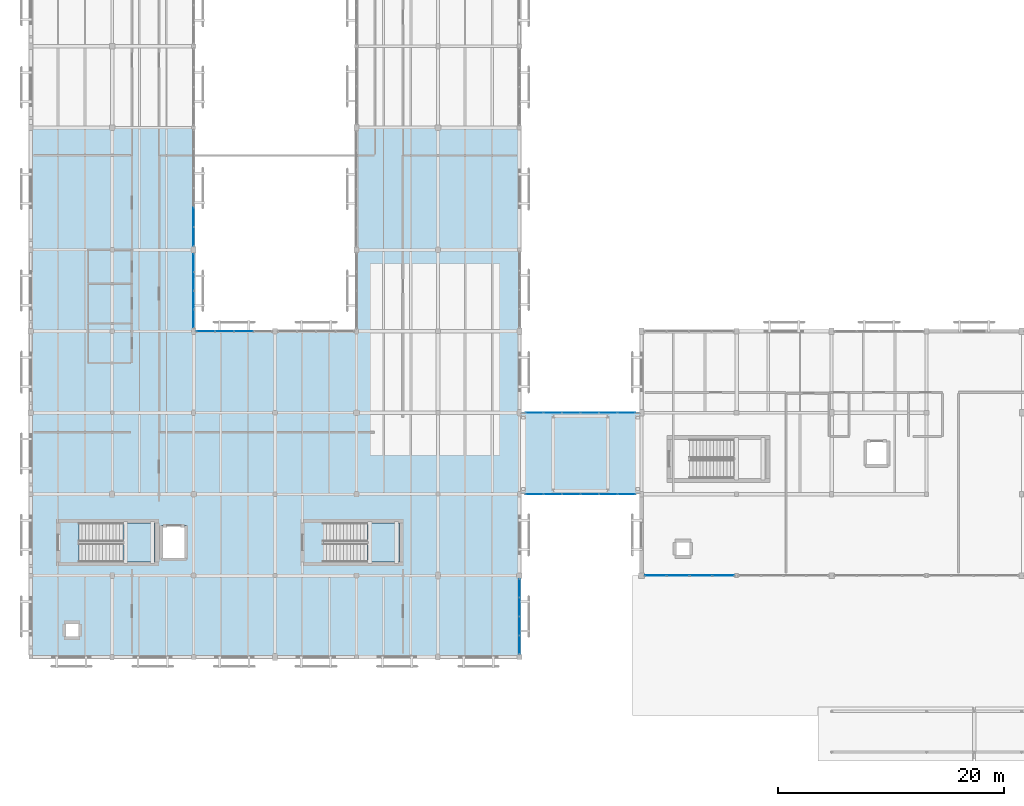
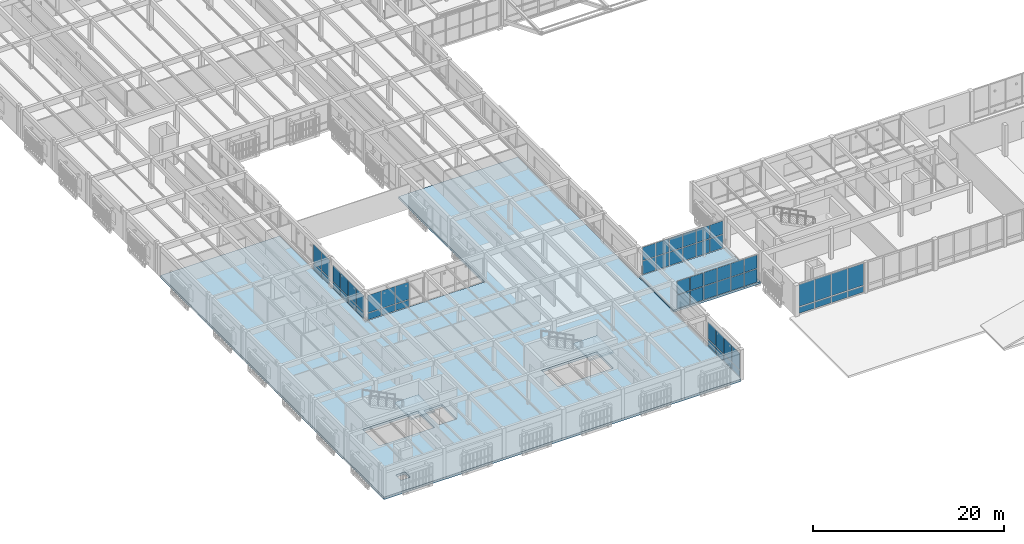
# One storey, part 163 of 217: 58 plates, 4 slabs, 9 elements without a shape of their own.
"""IFC4 building model written with IfcOpenShell, lengths in metres."""

import ifcopenshell
import ifcopenshell.guid

model = None  # the IFC model being written
_history = None  # IfcOwnerHistory: only IFC2X3 demands one
_inside = {}  # id of a spatial element -> (the spatial element, [elements in it])
_under = {}  # id of a project, library or spatial element -> (it, [spatial elements below it])
_declared = {}  # id of a project -> (the project, [libraries it declares])
_typed = {}  # id of a type object -> (the type object, [elements of that type])
_made_of = {}  # id of a material, layer set ... -> (it, [elements and type objects made of it])


def new_model(schema):
    """Start an empty IFC model of exactly this schema.

    Asked for "IFC4X3", IfcOpenShell would pick the latest addendum, in which some entities
    have other attributes; the version numbers below select the first issue.
    IFC2X3 requires an IfcOwnerHistory on every rooted entity: one is made here for all.
    """
    global model, _history
    if schema == "IFC4X3":
        model = ifcopenshell.file(schema_version=(4, 3, 0, 0))
    else:
        model = ifcopenshell.file(schema=schema)
    _inside.clear()
    _under.clear()
    _declared.clear()
    _typed.clear()
    _made_of.clear()
    _history = None
    if model.schema == "IFC2X3":
        org = make("IfcOrganization", Name="unknown")
        user = make(
            "IfcPersonAndOrganization",
            ThePerson=make("IfcPerson", FamilyName="unknown"),
            TheOrganization=org,
        )
        app = make(
            "IfcApplication",
            ApplicationDeveloper=org,
            Version="unknown",
            ApplicationFullName="unknown",
            ApplicationIdentifier="unknown",
        )
        _history = make(
            "IfcOwnerHistory",
            OwningUser=user,
            OwningApplication=app,
            ChangeAction="ADDED",
            CreationDate=0,
        )
    return model


def make(cls, **values):
    """One entity of the class cls with the attributes given. An attribute that is None is left unset."""
    return model.create_entity(
        cls, **{name: value for name, value in values.items() if value is not None}
    )


def rooted(cls, **values):
    """An entity with a GlobalId (a new one), such as an element, a storey or a relation."""
    return make(cls, GlobalId=ifcopenshell.guid.new(), OwnerHistory=_history, **values)


def si_unit(unit_type, name, prefix=None):
    """IfcSIUnit, for example si_unit("LENGTHUNIT", "METRE", prefix="MILLI")."""
    return make("IfcSIUnit", UnitType=unit_type, Prefix=prefix, Name=name)


def assignment(units):
    """IfcUnitAssignment: the units of a project."""
    return None if units is None else make("IfcUnitAssignment", Units=units)


def point(xyz):
    """IfcCartesianPoint."""
    return None if xyz is None else make("IfcCartesianPoint", Coordinates=xyz)


def direction(xyz):
    """IfcDirection."""
    return None if xyz is None else make("IfcDirection", DirectionRatios=xyz)


def frame(location, z_axis=None, x_axis=None):
    """IfcAxis2Placement3D, a coordinate frame: its origin and axes. An axis left out is left unset."""
    return make(
        "IfcAxis2Placement3D",
        Location=point(location),
        Axis=direction(z_axis),
        RefDirection=direction(x_axis),
    )


def frame_2d(location, x_axis=None):
    """IfcAxis2Placement2D, a coordinate frame in the plane: its origin and x axis."""
    return make(
        "IfcAxis2Placement2D", Location=point(location), RefDirection=direction(x_axis)
    )


def origin():
    """The frame at (0, 0, 0) with its axes left unset."""
    return frame((0.0, 0.0, 0.0))


def origin_2d():
    """The frame at (0, 0) in the plane with its x axis left unset."""
    return frame_2d((0.0, 0.0))


def place(relative_to, where):
    """IfcLocalPlacement: puts the frame where relative to a parent placement (None: the world)."""
    return make(
        "IfcLocalPlacement", PlacementRelTo=relative_to, RelativePlacement=where
    )


def context(
    kind, dimensions, precision=None, world=None, true_north=None, identifier=None
):
    """IfcGeometricRepresentationContext, for example the 3D "Model" context."""
    return make(
        "IfcGeometricRepresentationContext",
        ContextIdentifier=identifier,
        ContextType=kind,
        CoordinateSpaceDimension=dimensions,
        Precision=precision,
        WorldCoordinateSystem=world,
        TrueNorth=true_north,
    )


def subcontext(parent, identifier, kind, view, scale=None):
    """IfcGeometricRepresentationSubContext, for example "Body" below "Model"."""
    return make(
        "IfcGeometricRepresentationSubContext",
        ContextIdentifier=identifier,
        ContextType=kind,
        ParentContext=parent,
        TargetScale=scale,
        TargetView=view,
    )


def project(units=None, contexts=None):
    """IfcProject with its units and contexts."""
    return rooted(
        "IfcProject",
        Name="project",
        RepresentationContexts=contexts,
        UnitsInContext=assignment(units),
    )


def spatial(cls, under=None, at=None, **own):
    """A site, building, storey or space (cls), placed at a placement, below another one or the project."""
    s = rooted(cls, ObjectPlacement=at, **own)
    if under is not None:
        _under.setdefault(under.id(), (under, []))[1].append(s)
    return s


def polyline(points):
    """IfcPolyline through the points."""
    return make("IfcPolyline", Points=[point(p) for p in points])


def profile(cls, at=None, kind="AREA", **sizes):
    """A parametric profile (cls). Its sizes go by their IFC names, for example OverallWidth=200.0."""
    return make(cls, ProfileType=kind, Position=at, **sizes)


def rectangle(**sizes):
    """IfcRectangleProfileDef."""
    return profile("IfcRectangleProfileDef", **sizes)


def outline(outer, holes=None, kind="AREA"):
    """IfcArbitraryClosedProfileDef: a profile drawn as a closed curve; with holes, ...WithVoids."""
    if holes is None:
        return make("IfcArbitraryClosedProfileDef", ProfileType=kind, OuterCurve=outer)
    return make(
        "IfcArbitraryProfileDefWithVoids",
        ProfileType=kind,
        OuterCurve=outer,
        InnerCurves=holes,
    )


def extrude(swept, where, along, depth):
    """IfcExtrudedAreaSolid: the profile swept, set in the frame where, extruded along a direction by depth."""
    return make(
        "IfcExtrudedAreaSolid",
        SweptArea=swept,
        Position=where,
        ExtrudedDirection=direction(along),
        Depth=depth,
    )


def shape(context_of_items, identifier, shape_type, items):
    """IfcShapeRepresentation: the items that make up one representation, for example the "Body"."""
    return make(
        "IfcShapeRepresentation",
        ContextOfItems=context_of_items,
        RepresentationIdentifier=identifier,
        RepresentationType=shape_type,
        Items=items,
    )


def material(Name=None, Category=None):
    """IfcMaterial."""
    return make("IfcMaterial", Name=Name, Category=Category)


def layer(
    of_material, thickness, ventilated=None, Name=None, Category=None, Priority=None
):
    """IfcMaterialLayer: one layer of a wall or slab, of a material (None: an air gap)."""
    return make(
        "IfcMaterialLayer",
        Material=of_material,
        LayerThickness=thickness,
        IsVentilated=ventilated,
        Name=Name,
        Category=Category,
        Priority=Priority,
    )


def layer_set(layers, Name=None):
    """IfcMaterialLayerSet."""
    return make("IfcMaterialLayerSet", MaterialLayers=layers, LayerSetName=Name)


def made_of(thing, what):
    """Note that an element or type object is made of a material, layer set ...; save() writes the relation."""
    if what is not None:
        _made_of.setdefault(what.id(), (what, []))[1].append(thing)
    return thing


def type_object(cls, material=None, **own):
    """A type object (cls), such as IfcWallType, which elements share."""
    return made_of(rooted(cls, **own), material)


def element(
    cls,
    number,
    at=None,
    inside=None,
    cuts=None,
    type_object=None,
    material=None,
    context=None,
    identifier="Body",
    shape_type=None,
    held_by="IfcProductDefinitionShape",
    body=None,
    shapes=None,
    **own,
):
    """One element of the class cls, such as IfcWall. Its Tag is "e" and its number.

    at: its placement. inside: the storey or other place that contains it. cuts: it is an
    opening in that element (IfcRelVoidsElement). A single representation is given by context,
    identifier, shape_type and body (its items); several are given by shapes. held_by: the class
    of the entity that holds the representations. save() writes the other relations.
    """
    e = rooted(cls, Tag="e%d" % number, ObjectPlacement=at, **own)
    if body is not None:
        shapes = [shape(context, identifier, shape_type, body)]
    if shapes is not None:
        e.Representation = make(held_by, Representations=shapes)
    if inside is not None:
        _inside.setdefault(inside.id(), (inside, []))[1].append(e)
    if cuts is not None:
        rooted(
            "IfcRelVoidsElement", RelatingBuildingElement=cuts, RelatedOpeningElement=e
        )
    if type_object is not None:
        _typed.setdefault(type_object.id(), (type_object, []))[1].append(e)
    return made_of(e, material)


def aggregate(whole, parts):
    """IfcRelAggregates: a whole, such as a stair, and the parts it consists of."""
    return rooted("IfcRelAggregates", RelatingObject=whole, RelatedObjects=parts)


def save(model, path):
    """Write the relations noted so far, then the file.

    IfcRelAggregates (storeys below a building ...), IfcRelContainedInSpatialStructure (elements
    in a storey), IfcRelDefinesByType, IfcRelAssociatesMaterial and IfcRelDeclares: one each for
    every whole, place, type object, material and project.
    """
    for whole, parts in _under.values():
        aggregate(whole, parts)
    for where, things in _inside.values():
        rooted(
            "IfcRelContainedInSpatialStructure",
            RelatedElements=things,
            RelatingStructure=where,
        )
    for kind, things in _typed.values():
        rooted("IfcRelDefinesByType", RelatedObjects=things, RelatingType=kind)
    for what, things in _made_of.values():
        rooted("IfcRelAssociatesMaterial", RelatedObjects=things, RelatingMaterial=what)
    for by, libraries in _declared.values():
        rooted("IfcRelDeclares", RelatingContext=by, RelatedDefinitions=libraries)
    model.write(path)


model = new_model("IFC4")

# Units and contexts
model_context = context("Model", 3, precision=1e-05, world=origin(), true_north=direction((0.0, 1.0)))
body_context = subcontext(model_context, "Body", "Model", "MODEL_VIEW")
ifc_project = project(units=[si_unit("LENGTHUNIT", "METRE"), si_unit("AREAUNIT", "SQUARE_METRE"), si_unit("VOLUMEUNIT", "CUBIC_METRE"), si_unit("PLANEANGLEUNIT", "RADIAN"), si_unit("MASSUNIT", "GRAM", prefix="KILO")], contexts=[model_context])

# Site, building, storey
site_placement = place(None, origin())
site = spatial("IfcSite", under=ifc_project, at=site_placement, CompositionType="ELEMENT")
building_placement = place(site_placement, origin())
building = spatial("IfcBuilding", under=site, at=building_placement, Name="Mazaris Harbour Polytechnic", CompositionType="ELEMENT")
storey_placement = place(building_placement, frame((0.0, 0.0, 9.60009765625)))
storey = spatial("IfcBuildingStorey", under=building, at=storey_placement, Name="L02", CompositionType="ELEMENT", Elevation=9.60009765625)

# Slabs
ifc_material_1 = material(Name="Glulam GL28h and Concrete C30/37", Category="concrete")
ifc_layer_1 = layer(ifc_material_1, 0.264892578125, Name="Glulam GL28h and Concrete C30/37")
ifc_layer_set_1 = layer_set([ifc_layer_1], Name="Glulam GL28h and Concrete C30/37")
slab_type_1 = type_object("IfcSlabType", Name="CLT Composite Floor 265", PredefinedType="FLOOR", material=ifc_layer_set_1)
slab_1_placement = place(storey_placement, frame((0.0, 0.0, -0.26513671875)))
element("IfcSlab", 1, at=slab_1_placement, inside=storey, type_object=slab_type_1, Name="PB-W1 L02 Bridge Deck", PredefinedType="FLOOR", context=body_context, shape_type="SweptSolid", body=[
    extrude(outline(polyline([(53.85009765625, 21.60009765625), (53.85009765625, 28.800048828125), (43.35009765625, 28.800048828125), (43.35009765625, 21.60009765625), (53.85009765625, 21.60009765625)])), origin(), (0.0, 0.0, 1.0), 0.26513671875),
])
ifc_material_2 = material(Name="Glulam GL28h and Concrete C30/37", Category="concrete")
ifc_layer_2 = layer(ifc_material_2, 0.31005859375, Name="Glulam GL28h and Concrete C30/37")
ifc_layer_set_2 = layer_set([ifc_layer_2], Name="Glulam GL28h and Concrete C30/37")
slab_type_2 = type_object("IfcSlabType", Name="CLT Library Stack Floor 310", PredefinedType="FLOOR", material=ifc_layer_set_2)
slab_2_placement = place(storey_placement, frame((0.0, 0.0, -0.31005859375)))
element("IfcSlab", 2, at=slab_2_placement, inside=storey, type_object=slab_type_2, Name="V4 L02 Floor Slab", PredefinedType="FLOOR", context=body_context, shape_type="SweptSolid", body=[
    extrude(outline(polyline([(43.199951171875, 7.199951171875), (0.0, 7.199951171875), (0.0, 54.0), (14.39990234375, 54.0), (14.39990234375, 36.0), (28.800048828125, 36.0), (28.800048828125, 54.0), (43.199951171875, 54.0), (43.199951171875, 7.199951171875)]), holes=[polyline([(4.27490234375, 15.60009765625), (11.0, 15.60009765625), (11.0, 19.050048828125), (4.27490234375, 19.050048828125), (4.27490234375, 15.60009765625)]), polyline([(25.875, 19.050048828125), (25.875, 15.60009765625), (32.60009765625, 15.60009765625), (32.60009765625, 19.050048828125), (25.875, 19.050048828125)]), polyline([(13.75, 18.824951171875), (11.550048828125, 18.824951171875), (11.550048828125, 15.824951171875), (13.75, 15.824951171875), (13.75, 18.824951171875)]), polyline([(3.10009765625, 9.0), (4.219970703125, 9.0), (4.219970703125, 10.1201171875), (3.10009765625, 10.1201171875), (3.10009765625, 9.0)])]), origin(), (0.0, 0.0, 1.0), 0.31005859375),
])

# Curtain wall, plates
ifc_material_3 = material(Name="Anodised Bronze Aluminium and Low-E Glass", Category="aluminium")
ifc_layer_3 = layer(ifc_material_3, 0.179931640625, Name="Anodised Bronze Aluminium and Low-E Glass")
ifc_layer_set_3 = layer_set([ifc_layer_3], Name="Anodised Bronze Aluminium and Low-E Glass")
curtain_wall_type_1 = type_object("IfcCurtainWallType", Name="Harbour Colonnade Curtain Wall", PredefinedType="NOTDEFINED", material=ifc_layer_set_3)
curtain_wall_1_placement = place(storey_placement, origin())
curtain_wall_1 = element("IfcCurtainWall", 3, at=curtain_wall_1_placement, inside=storey, type_object=curtain_wall_type_1, Name="V3 L02 Curtain Wall 79", PredefinedType="NOTDEFINED")
ifc_material_4 = material(Name="Low-E Double Glazing", Category="glass")
ifc_layer_4 = layer(ifc_material_4, 0.028076171875, Name="Low-E Double Glazing")
ifc_layer_set_4 = layer_set([ifc_layer_4], Name="Low-E Double Glazing")
plate_type = type_object("IfcPlateType", Name="Low-E Vision Glass Panel 28", PredefinedType="CURTAIN_PANEL", material=ifc_layer_set_4)
plate_1_placement = place(storey_placement, frame((61.21337890625, 14.39990234375, 0.119873046875), z_axis=(0.0, 0.0, 1.0), x_axis=(-1.0, 0.0, 0.0)))
plate_1 = element("IfcPlate", 4, at=plate_1_placement, type_object=plate_type, Name="CW-01 panel 1.1", PredefinedType="CURTAIN_PANEL", context=body_context, shape_type="SweptSolid", body=[
    extrude(rectangle(XDim=1.84912109375, YDim=0.028076171875, at=origin_2d()), origin(), (0.0, 0.0, 1.0), 0.77001953125),
])
plate_2_placement = place(storey_placement, frame((61.21337890625, 14.39990234375, 1.009765625), z_axis=(0.0, 0.0, 1.0), x_axis=(-1.0, 0.0, 0.0)))
plate_2 = element("IfcPlate", 5, at=plate_2_placement, type_object=plate_type, Name="CW-01 panel 1.2", PredefinedType="CURTAIN_PANEL", context=body_context, shape_type="SweptSolid", body=[
    extrude(rectangle(XDim=1.84912109375, YDim=0.028076171875, at=origin_2d()), origin(), (0.0, 0.0, 1.0), 2.804931640625),
])
plate_3_placement = place(storey_placement, frame((59.239501953125, 14.39990234375, 0.119873046875), z_axis=(0.0, 0.0, 1.0), x_axis=(-1.0, 0.0, 0.0)))
plate_3 = element("IfcPlate", 6, at=plate_3_placement, type_object=plate_type, Name="CW-01 panel 2.1", PredefinedType="CURTAIN_PANEL", context=body_context, shape_type="SweptSolid", body=[
    extrude(rectangle(XDim=1.89892578125, YDim=0.028076171875, at=origin_2d()), origin(), (0.0, 0.0, 1.0), 0.77001953125),
])
plate_4_placement = place(storey_placement, frame((59.239501953125, 14.39990234375, 1.009765625), z_axis=(0.0, 0.0, 1.0), x_axis=(-1.0, 0.0, 0.0)))
plate_4 = element("IfcPlate", 7, at=plate_4_placement, type_object=plate_type, Name="CW-01 panel 2.2", PredefinedType="CURTAIN_PANEL", context=body_context, shape_type="SweptSolid", body=[
    extrude(rectangle(XDim=1.89892578125, YDim=0.028076171875, at=origin_2d()), origin(), (0.0, 0.0, 1.0), 2.804931640625),
])
plate_5_placement = place(storey_placement, frame((57.240478515625, 14.39990234375, 0.119873046875), z_axis=(0.0, 0.0, 1.0), x_axis=(-1.0, 0.0, 0.0)))
plate_5 = element("IfcPlate", 8, at=plate_5_placement, type_object=plate_type, Name="CW-01 panel 3.1", PredefinedType="CURTAIN_PANEL", context=body_context, shape_type="SweptSolid", body=[
    extrude(rectangle(XDim=1.89892578125, YDim=0.028076171875, at=origin_2d()), origin(), (0.0, 0.0, 1.0), 0.77001953125),
])
plate_6_placement = place(storey_placement, frame((57.240478515625, 14.39990234375, 1.009765625), z_axis=(0.0, 0.0, 1.0), x_axis=(-1.0, 0.0, 0.0)))
plate_6 = element("IfcPlate", 9, at=plate_6_placement, type_object=plate_type, Name="CW-01 panel 3.2", PredefinedType="CURTAIN_PANEL", context=body_context, shape_type="SweptSolid", body=[
    extrude(rectangle(XDim=1.89892578125, YDim=0.028076171875, at=origin_2d()), origin(), (0.0, 0.0, 1.0), 2.804931640625),
])
plate_7_placement = place(storey_placement, frame((55.2666015625, 14.39990234375, 0.119873046875), z_axis=(0.0, 0.0, 1.0), x_axis=(-1.0, 0.0, 0.0)))
plate_7 = element("IfcPlate", 10, at=plate_7_placement, type_object=plate_type, Name="CW-01 panel 4.1", PredefinedType="CURTAIN_PANEL", context=body_context, shape_type="SweptSolid", body=[
    extrude(rectangle(XDim=1.84912109375, YDim=0.028076171875, at=origin_2d()), origin(), (0.0, 0.0, 1.0), 0.77001953125),
])
plate_8_placement = place(storey_placement, frame((55.2666015625, 14.39990234375, 1.009765625), z_axis=(0.0, 0.0, 1.0), x_axis=(-1.0, 0.0, 0.0)))
plate_8 = element("IfcPlate", 11, at=plate_8_placement, type_object=plate_type, Name="CW-01 panel 4.2", PredefinedType="CURTAIN_PANEL", context=body_context, shape_type="SweptSolid", body=[
    extrude(rectangle(XDim=1.84912109375, YDim=0.028076171875, at=origin_2d()), origin(), (0.0, 0.0, 1.0), 2.804931640625),
])
aggregate(curtain_wall_1, [plate_1, plate_2, plate_3, plate_4, plate_5, plate_6, plate_7, plate_8])

ifc_material_5 = material(Name="Anodised Bronze Aluminium and Low-E Glass", Category="aluminium")
ifc_layer_5 = layer(ifc_material_5, 0.159912109375, Name="Anodised Bronze Aluminium and Low-E Glass")
ifc_layer_set_5 = layer_set([ifc_layer_5], Name="Anodised Bronze Aluminium and Low-E Glass")
curtain_wall_type_2 = type_object("IfcCurtainWallType", Name="Cloister Court Curtain Wall", PredefinedType="NOTDEFINED", material=ifc_layer_set_5)
curtain_wall_2_placement = place(storey_placement, origin())
curtain_wall_2 = element("IfcCurtainWall", 12, at=curtain_wall_2_placement, inside=storey, type_object=curtain_wall_type_2, Name="V4 L02 Curtain Wall 128", PredefinedType="NOTDEFINED")
plate_9_placement = place(storey_placement, frame((43.199951171875, 13.2958984375, 0.079833984375), z_axis=(0.0, 0.0, 1.0), x_axis=(0.0, -1.0, 0.0)))
plate_9 = element("IfcPlate", 13, at=plate_9_placement, type_object=plate_type, Name="CW-02 panel 1.1", PredefinedType="CURTAIN_PANEL", context=body_context, shape_type="SweptSolid", body=[
    extrude(rectangle(XDim=1.56396484375, YDim=0.028076171875, at=origin_2d()), origin(), (0.0, 0.0, 1.0), 0.830078125),
])
plate_10_placement = place(storey_placement, frame((43.199951171875, 13.2958984375, 0.989990234375), z_axis=(0.0, 0.0, 1.0), x_axis=(0.0, -1.0, 0.0)))
plate_10 = element("IfcPlate", 14, at=plate_10_placement, type_object=plate_type, Name="CW-02 panel 1.2", PredefinedType="CURTAIN_PANEL", context=body_context, shape_type="SweptSolid", body=[
    extrude(rectangle(XDim=1.56396484375, YDim=0.028076171875, at=origin_2d()), origin(), (0.0, 0.0, 1.0), 2.1298828125),
])
plate_11_placement = place(storey_placement, frame((43.199951171875, 11.632080078125, 0.079833984375), z_axis=(0.0, 0.0, 1.0), x_axis=(0.0, -1.0, 0.0)))
plate_11 = element("IfcPlate", 15, at=plate_11_placement, type_object=plate_type, Name="CW-02 panel 2.1", PredefinedType="CURTAIN_PANEL", context=body_context, shape_type="SweptSolid", body=[
    extrude(rectangle(XDim=1.60400390625, YDim=0.028076171875, at=origin_2d()), origin(), (0.0, 0.0, 1.0), 0.830078125),
])
plate_12_placement = place(storey_placement, frame((43.199951171875, 11.632080078125, 0.989990234375), z_axis=(0.0, 0.0, 1.0), x_axis=(0.0, -1.0, 0.0)))
plate_12 = element("IfcPlate", 16, at=plate_12_placement, type_object=plate_type, Name="CW-02 panel 2.2", PredefinedType="CURTAIN_PANEL", context=body_context, shape_type="SweptSolid", body=[
    extrude(rectangle(XDim=1.60400390625, YDim=0.028076171875, at=origin_2d()), origin(), (0.0, 0.0, 1.0), 2.1298828125),
])
plate_13_placement = place(storey_placement, frame((43.199951171875, 9.947998046875, 0.079833984375), z_axis=(0.0, 0.0, 1.0), x_axis=(0.0, -1.0, 0.0)))
plate_13 = element("IfcPlate", 17, at=plate_13_placement, type_object=plate_type, Name="CW-02 panel 3.1", PredefinedType="CURTAIN_PANEL", context=body_context, shape_type="SweptSolid", body=[
    extrude(rectangle(XDim=1.60400390625, YDim=0.028076171875, at=origin_2d()), origin(), (0.0, 0.0, 1.0), 0.830078125),
])
plate_14_placement = place(storey_placement, frame((43.199951171875, 9.947998046875, 0.989990234375), z_axis=(0.0, 0.0, 1.0), x_axis=(0.0, -1.0, 0.0)))
plate_14 = element("IfcPlate", 18, at=plate_14_placement, type_object=plate_type, Name="CW-02 panel 3.2", PredefinedType="CURTAIN_PANEL", context=body_context, shape_type="SweptSolid", body=[
    extrude(rectangle(XDim=1.60400390625, YDim=0.028076171875, at=origin_2d()), origin(), (0.0, 0.0, 1.0), 2.1298828125),
])
plate_15_placement = place(storey_placement, frame((43.199951171875, 8.283935546875, 0.079833984375), z_axis=(0.0, 0.0, 1.0), x_axis=(0.0, -1.0, 0.0)))
plate_15 = element("IfcPlate", 19, at=plate_15_placement, type_object=plate_type, Name="CW-02 panel 4.1", PredefinedType="CURTAIN_PANEL", context=body_context, shape_type="SweptSolid", body=[
    extrude(rectangle(XDim=1.56396484375, YDim=0.028076171875, at=origin_2d()), origin(), (0.0, 0.0, 1.0), 0.830078125),
])
plate_16_placement = place(storey_placement, frame((43.199951171875, 8.283935546875, 0.989990234375), z_axis=(0.0, 0.0, 1.0), x_axis=(0.0, -1.0, 0.0)))
plate_16 = element("IfcPlate", 20, at=plate_16_placement, type_object=plate_type, Name="CW-02 panel 4.2", PredefinedType="CURTAIN_PANEL", context=body_context, shape_type="SweptSolid", body=[
    extrude(rectangle(XDim=1.56396484375, YDim=0.028076171875, at=origin_2d()), origin(), (0.0, 0.0, 1.0), 2.1298828125),
])
aggregate(curtain_wall_2, [plate_9, plate_10, plate_11, plate_12, plate_13, plate_14, plate_15, plate_16])

curtain_wall_3_placement = place(storey_placement, origin())
curtain_wall_3 = element("IfcCurtainWall", 21, at=curtain_wall_3_placement, inside=storey, type_object=curtain_wall_type_2, Name="V4 L02 Curtain Wall 133", PredefinedType="NOTDEFINED")
plate_17_placement = place(storey_placement, frame((15.460205078125, 36.0, 0.079833984375), z_axis=(0.0, 0.0, 1.0), x_axis=(1.0, 0.0, 0.0)))
plate_17 = element("IfcPlate", 22, at=plate_17_placement, type_object=plate_type, Name="CW-02 panel 1.1", PredefinedType="CURTAIN_PANEL", context=body_context, shape_type="SweptSolid", body=[
    extrude(rectangle(XDim=1.576416015625, YDim=0.028076171875, at=origin_2d()), origin(), (0.0, 0.0, 1.0), 0.830078125),
])
plate_18_placement = place(storey_placement, frame((15.460205078125, 36.0, 0.989990234375), z_axis=(0.0, 0.0, 1.0), x_axis=(1.0, 0.0, 0.0)))
plate_18 = element("IfcPlate", 23, at=plate_18_placement, type_object=plate_type, Name="CW-02 panel 1.2", PredefinedType="CURTAIN_PANEL", context=body_context, shape_type="SweptSolid", body=[
    extrude(rectangle(XDim=1.576416015625, YDim=0.028076171875, at=origin_2d()), origin(), (0.0, 0.0, 1.0), 2.22998046875),
])
plate_19_placement = place(storey_placement, frame((17.13671875, 36.0, 0.079833984375), z_axis=(0.0, 0.0, 1.0), x_axis=(1.0, 0.0, 0.0)))
plate_19 = element("IfcPlate", 24, at=plate_19_placement, type_object=plate_type, Name="CW-02 panel 2.1", PredefinedType="CURTAIN_PANEL", context=body_context, shape_type="SweptSolid", body=[
    extrude(rectangle(XDim=1.616455078125, YDim=0.028076171875, at=origin_2d()), origin(), (0.0, 0.0, 1.0), 0.830078125),
])
plate_20_placement = place(storey_placement, frame((17.13671875, 36.0, 0.989990234375), z_axis=(0.0, 0.0, 1.0), x_axis=(1.0, 0.0, 0.0)))
plate_20 = element("IfcPlate", 25, at=plate_20_placement, type_object=plate_type, Name="CW-02 panel 2.2", PredefinedType="CURTAIN_PANEL", context=body_context, shape_type="SweptSolid", body=[
    extrude(rectangle(XDim=1.616455078125, YDim=0.028076171875, at=origin_2d()), origin(), (0.0, 0.0, 1.0), 2.22998046875),
])
plate_21_placement = place(storey_placement, frame((18.833251953125, 36.0, 0.079833984375), z_axis=(0.0, 0.0, 1.0), x_axis=(1.0, 0.0, 0.0)))
plate_21 = element("IfcPlate", 26, at=plate_21_placement, type_object=plate_type, Name="CW-02 panel 3.1", PredefinedType="CURTAIN_PANEL", context=body_context, shape_type="SweptSolid", body=[
    extrude(rectangle(XDim=1.616455078125, YDim=0.028076171875, at=origin_2d()), origin(), (0.0, 0.0, 1.0), 0.830078125),
])
plate_22_placement = place(storey_placement, frame((18.833251953125, 36.0, 0.989990234375), z_axis=(0.0, 0.0, 1.0), x_axis=(1.0, 0.0, 0.0)))
plate_22 = element("IfcPlate", 27, at=plate_22_placement, type_object=plate_type, Name="CW-02 panel 3.2", PredefinedType="CURTAIN_PANEL", context=body_context, shape_type="SweptSolid", body=[
    extrude(rectangle(XDim=1.616455078125, YDim=0.028076171875, at=origin_2d()), origin(), (0.0, 0.0, 1.0), 2.22998046875),
])
aggregate(curtain_wall_3, [plate_17, plate_18, plate_19, plate_20, plate_21, plate_22])

curtain_wall_4_placement = place(storey_placement, origin())
curtain_wall_4 = element("IfcCurtainWall", 28, at=curtain_wall_4_placement, inside=storey, type_object=curtain_wall_type_2, Name="V4 L02 Curtain Wall 137", PredefinedType="NOTDEFINED")
plate_23_placement = place(storey_placement, frame((14.39990234375, 37.11279296875, 0.079833984375), z_axis=(0.0, 0.0, 1.0), x_axis=(0.0, 1.0, 0.0)))
plate_23 = element("IfcPlate", 29, at=plate_23_placement, type_object=plate_type, Name="CW-02 panel 1.1", PredefinedType="CURTAIN_PANEL", context=body_context, shape_type="SweptSolid", body=[
    extrude(rectangle(XDim=1.54150390625, YDim=0.028076171875, at=origin_2d()), origin(), (0.0, 0.0, 1.0), 0.830078125),
])
plate_24_placement = place(storey_placement, frame((14.39990234375, 37.11279296875, 0.98974609375), z_axis=(0.0, 0.0, 1.0), x_axis=(0.0, 1.0, 0.0)))
plate_24 = element("IfcPlate", 30, at=plate_24_placement, type_object=plate_type, Name="CW-02 panel 1.2", PredefinedType="CURTAIN_PANEL", context=body_context, shape_type="SweptSolid", body=[
    extrude(rectangle(XDim=1.54150390625, YDim=0.028076171875, at=origin_2d()), origin(), (0.0, 0.0, 1.0), 2.070068359375),
])
plate_25_placement = place(storey_placement, frame((14.39990234375, 38.754150390625, 0.079833984375), z_axis=(0.0, 0.0, 1.0), x_axis=(0.0, 1.0, 0.0)))
plate_25 = element("IfcPlate", 31, at=plate_25_placement, type_object=plate_type, Name="CW-02 panel 2.1", PredefinedType="CURTAIN_PANEL", context=body_context, shape_type="SweptSolid", body=[
    extrude(rectangle(XDim=1.58154296875, YDim=0.028076171875, at=origin_2d()), origin(), (0.0, 0.0, 1.0), 0.830078125),
])
plate_26_placement = place(storey_placement, frame((14.39990234375, 38.754150390625, 0.98974609375), z_axis=(0.0, 0.0, 1.0), x_axis=(0.0, 1.0, 0.0)))
plate_26 = element("IfcPlate", 32, at=plate_26_placement, type_object=plate_type, Name="CW-02 panel 2.2", PredefinedType="CURTAIN_PANEL", context=body_context, shape_type="SweptSolid", body=[
    extrude(rectangle(XDim=1.58154296875, YDim=0.028076171875, at=origin_2d()), origin(), (0.0, 0.0, 1.0), 2.070068359375),
])
plate_27_placement = place(storey_placement, frame((14.39990234375, 40.415771484375, 0.079833984375), z_axis=(0.0, 0.0, 1.0), x_axis=(0.0, 1.0, 0.0)))
plate_27 = element("IfcPlate", 33, at=plate_27_placement, type_object=plate_type, Name="CW-02 panel 3.1", PredefinedType="CURTAIN_PANEL", context=body_context, shape_type="SweptSolid", body=[
    extrude(rectangle(XDim=1.58154296875, YDim=0.028076171875, at=origin_2d()), origin(), (0.0, 0.0, 1.0), 0.830078125),
])
plate_28_placement = place(storey_placement, frame((14.39990234375, 40.415771484375, 0.98974609375), z_axis=(0.0, 0.0, 1.0), x_axis=(0.0, 1.0, 0.0)))
plate_28 = element("IfcPlate", 34, at=plate_28_placement, type_object=plate_type, Name="CW-02 panel 3.2", PredefinedType="CURTAIN_PANEL", context=body_context, shape_type="SweptSolid", body=[
    extrude(rectangle(XDim=1.58154296875, YDim=0.028076171875, at=origin_2d()), origin(), (0.0, 0.0, 1.0), 2.070068359375),
])
plate_29_placement = place(storey_placement, frame((14.39990234375, 42.05712890625, 0.079833984375), z_axis=(0.0, 0.0, 1.0), x_axis=(0.0, 1.0, 0.0)))
plate_29 = element("IfcPlate", 35, at=plate_29_placement, type_object=plate_type, Name="CW-02 panel 4.1", PredefinedType="CURTAIN_PANEL", context=body_context, shape_type="SweptSolid", body=[
    extrude(rectangle(XDim=1.54150390625, YDim=0.028076171875, at=origin_2d()), origin(), (0.0, 0.0, 1.0), 0.830078125),
])
plate_30_placement = place(storey_placement, frame((14.39990234375, 42.05712890625, 0.98974609375), z_axis=(0.0, 0.0, 1.0), x_axis=(0.0, 1.0, 0.0)))
plate_30 = element("IfcPlate", 36, at=plate_30_placement, type_object=plate_type, Name="CW-02 panel 4.2", PredefinedType="CURTAIN_PANEL", context=body_context, shape_type="SweptSolid", body=[
    extrude(rectangle(XDim=1.54150390625, YDim=0.028076171875, at=origin_2d()), origin(), (0.0, 0.0, 1.0), 2.070068359375),
])
aggregate(curtain_wall_4, [plate_23, plate_24, plate_25, plate_26, plate_27, plate_28, plate_29, plate_30])

curtain_wall_5_placement = place(storey_placement, origin())
curtain_wall_5 = element("IfcCurtainWall", 37, at=curtain_wall_5_placement, inside=storey, type_object=curtain_wall_type_2, Name="V4 L02 Curtain Wall 138", PredefinedType="NOTDEFINED")
plate_31_placement = place(storey_placement, frame((14.39990234375, 44.374267578125, 0.079833984375), z_axis=(0.0, 0.0, 1.0), x_axis=(0.0, 1.0, 0.0)))
plate_31 = element("IfcPlate", 38, at=plate_31_placement, type_object=plate_type, Name="CW-02 panel 1.1", PredefinedType="CURTAIN_PANEL", context=body_context, shape_type="SweptSolid", body=[
    extrude(rectangle(XDim=1.604248046875, YDim=0.028076171875, at=origin_2d()), origin(), (0.0, 0.0, 1.0), 0.830078125),
])
plate_32_placement = place(storey_placement, frame((14.39990234375, 44.374267578125, 0.989990234375), z_axis=(0.0, 0.0, 1.0), x_axis=(0.0, 1.0, 0.0)))
plate_32 = element("IfcPlate", 39, at=plate_32_placement, type_object=plate_type, Name="CW-02 panel 1.2", PredefinedType="CURTAIN_PANEL", context=body_context, shape_type="SweptSolid", body=[
    extrude(rectangle(XDim=1.604248046875, YDim=0.028076171875, at=origin_2d()), origin(), (0.0, 0.0, 1.0), 2.2900390625),
])
plate_33_placement = place(storey_placement, frame((14.39990234375, 46.07861328125, 0.079833984375), z_axis=(0.0, 0.0, 1.0), x_axis=(0.0, 1.0, 0.0)))
plate_33 = element("IfcPlate", 40, at=plate_33_placement, type_object=plate_type, Name="CW-02 panel 2.1", PredefinedType="CURTAIN_PANEL", context=body_context, shape_type="SweptSolid", body=[
    extrude(rectangle(XDim=1.644287109375, YDim=0.028076171875, at=origin_2d()), origin(), (0.0, 0.0, 1.0), 0.830078125),
])
plate_34_placement = place(storey_placement, frame((14.39990234375, 46.07861328125, 0.989990234375), z_axis=(0.0, 0.0, 1.0), x_axis=(0.0, 1.0, 0.0)))
plate_34 = element("IfcPlate", 41, at=plate_34_placement, type_object=plate_type, Name="CW-02 panel 2.2", PredefinedType="CURTAIN_PANEL", context=body_context, shape_type="SweptSolid", body=[
    extrude(rectangle(XDim=1.644287109375, YDim=0.028076171875, at=origin_2d()), origin(), (0.0, 0.0, 1.0), 2.2900390625),
])
aggregate(curtain_wall_5, [plate_31, plate_32, plate_33, plate_34])

ifc_material_6 = material(Name="Anodised Bronze Aluminium and Low-E Glass", Category="aluminium")
ifc_layer_6 = layer(ifc_material_6, 0.139892578125, Name="Anodised Bronze Aluminium and Low-E Glass")
ifc_layer_set_6 = layer_set([ifc_layer_6], Name="Anodised Bronze Aluminium and Low-E Glass")
curtain_wall_type_3 = type_object("IfcCurtainWallType", Name="Seismic Link Bridge Glazing", PredefinedType="NOTDEFINED", material=ifc_layer_set_6)
curtain_wall_6_placement = place(storey_placement, origin())
curtain_wall_6 = element("IfcCurtainWall", 42, at=curtain_wall_6_placement, inside=storey, type_object=curtain_wall_type_3, Name="PB-W1 L02 Bridge Glazing", PredefinedType="NOTDEFINED")
plate_35_placement = place(storey_placement, frame((44.52001953125, 21.60009765625, 0.080078125), z_axis=(0.0, 0.0, 1.0), x_axis=(1.0, 0.0, 0.0)))
plate_35 = element("IfcPlate", 43, at=plate_35_placement, type_object=plate_type, Name="CW-05 panel 1.1", PredefinedType="CURTAIN_PANEL", context=body_context, shape_type="SweptSolid", body=[
    extrude(rectangle(XDim=1.52001953125, YDim=0.028076171875, at=origin_2d()), origin(), (0.0, 0.0, 1.0), 1.697509765625),
])
plate_36_placement = place(storey_placement, frame((44.52001953125, 21.60009765625, 1.857421875), z_axis=(0.0, 0.0, 1.0), x_axis=(1.0, 0.0, 0.0)))
plate_36 = element("IfcPlate", 44, at=plate_36_placement, type_object=plate_type, Name="CW-05 panel 1.2", PredefinedType="CURTAIN_PANEL", context=body_context, shape_type="SweptSolid", body=[
    extrude(rectangle(XDim=1.52001953125, YDim=0.028076171875, at=origin_2d()), origin(), (0.0, 0.0, 1.0), 1.697509765625),
])
plate_37_placement = place(storey_placement, frame((46.139892578125, 21.60009765625, 0.080078125), z_axis=(0.0, 0.0, 1.0), x_axis=(1.0, 0.0, 0.0)))
plate_37 = element("IfcPlate", 45, at=plate_37_placement, type_object=plate_type, Name="CW-05 panel 2.1", PredefinedType="CURTAIN_PANEL", context=body_context, shape_type="SweptSolid", body=[
    extrude(rectangle(XDim=1.56005859375, YDim=0.028076171875, at=origin_2d()), origin(), (0.0, 0.0, 1.0), 1.697509765625),
])
plate_38_placement = place(storey_placement, frame((46.139892578125, 21.60009765625, 1.857421875), z_axis=(0.0, 0.0, 1.0), x_axis=(1.0, 0.0, 0.0)))
plate_38 = element("IfcPlate", 46, at=plate_38_placement, type_object=plate_type, Name="CW-05 panel 2.2", PredefinedType="CURTAIN_PANEL", context=body_context, shape_type="SweptSolid", body=[
    extrude(rectangle(XDim=1.56005859375, YDim=0.028076171875, at=origin_2d()), origin(), (0.0, 0.0, 1.0), 1.697509765625),
])
plate_39_placement = place(storey_placement, frame((47.780029296875, 21.60009765625, 0.080078125), z_axis=(0.0, 0.0, 1.0), x_axis=(1.0, 0.0, 0.0)))
plate_39 = element("IfcPlate", 47, at=plate_39_placement, type_object=plate_type, Name="CW-05 panel 3.1", PredefinedType="CURTAIN_PANEL", context=body_context, shape_type="SweptSolid", body=[
    extrude(rectangle(XDim=1.56005859375, YDim=0.028076171875, at=origin_2d()), origin(), (0.0, 0.0, 1.0), 1.697509765625),
])
plate_40_placement = place(storey_placement, frame((47.780029296875, 21.60009765625, 1.857421875), z_axis=(0.0, 0.0, 1.0), x_axis=(1.0, 0.0, 0.0)))
plate_40 = element("IfcPlate", 48, at=plate_40_placement, type_object=plate_type, Name="CW-05 panel 3.2", PredefinedType="CURTAIN_PANEL", context=body_context, shape_type="SweptSolid", body=[
    extrude(rectangle(XDim=1.56005859375, YDim=0.028076171875, at=origin_2d()), origin(), (0.0, 0.0, 1.0), 1.697509765625),
])
plate_41_placement = place(storey_placement, frame((49.419921875, 21.60009765625, 0.080078125), z_axis=(0.0, 0.0, 1.0), x_axis=(1.0, 0.0, 0.0)))
plate_41 = element("IfcPlate", 49, at=plate_41_placement, type_object=plate_type, Name="CW-05 panel 4.1", PredefinedType="CURTAIN_PANEL", context=body_context, shape_type="SweptSolid", body=[
    extrude(rectangle(XDim=1.56005859375, YDim=0.028076171875, at=origin_2d()), origin(), (0.0, 0.0, 1.0), 1.697509765625),
])
plate_42_placement = place(storey_placement, frame((49.419921875, 21.60009765625, 1.857421875), z_axis=(0.0, 0.0, 1.0), x_axis=(1.0, 0.0, 0.0)))
plate_42 = element("IfcPlate", 50, at=plate_42_placement, type_object=plate_type, Name="CW-05 panel 4.2", PredefinedType="CURTAIN_PANEL", context=body_context, shape_type="SweptSolid", body=[
    extrude(rectangle(XDim=1.56005859375, YDim=0.028076171875, at=origin_2d()), origin(), (0.0, 0.0, 1.0), 1.697509765625),
])
plate_43_placement = place(storey_placement, frame((51.06005859375, 21.60009765625, 0.080078125), z_axis=(0.0, 0.0, 1.0), x_axis=(1.0, 0.0, 0.0)))
plate_43 = element("IfcPlate", 51, at=plate_43_placement, type_object=plate_type, Name="CW-05 panel 5.1", PredefinedType="CURTAIN_PANEL", context=body_context, shape_type="SweptSolid", body=[
    extrude(rectangle(XDim=1.56005859375, YDim=0.028076171875, at=origin_2d()), origin(), (0.0, 0.0, 1.0), 1.697509765625),
])
plate_44_placement = place(storey_placement, frame((51.06005859375, 21.60009765625, 1.857421875), z_axis=(0.0, 0.0, 1.0), x_axis=(1.0, 0.0, 0.0)))
plate_44 = element("IfcPlate", 52, at=plate_44_placement, type_object=plate_type, Name="CW-05 panel 5.2", PredefinedType="CURTAIN_PANEL", context=body_context, shape_type="SweptSolid", body=[
    extrude(rectangle(XDim=1.56005859375, YDim=0.028076171875, at=origin_2d()), origin(), (0.0, 0.0, 1.0), 1.697509765625),
])
plate_45_placement = place(storey_placement, frame((52.679931640625, 21.60009765625, 0.080078125), z_axis=(0.0, 0.0, 1.0), x_axis=(1.0, 0.0, 0.0)))
plate_45 = element("IfcPlate", 53, at=plate_45_placement, type_object=plate_type, Name="CW-05 panel 6.1", PredefinedType="CURTAIN_PANEL", context=body_context, shape_type="SweptSolid", body=[
    extrude(rectangle(XDim=1.52001953125, YDim=0.028076171875, at=origin_2d()), origin(), (0.0, 0.0, 1.0), 1.697509765625),
])
plate_46_placement = place(storey_placement, frame((52.679931640625, 21.60009765625, 1.857421875), z_axis=(0.0, 0.0, 1.0), x_axis=(1.0, 0.0, 0.0)))
plate_46 = element("IfcPlate", 54, at=plate_46_placement, type_object=plate_type, Name="CW-05 panel 6.2", PredefinedType="CURTAIN_PANEL", context=body_context, shape_type="SweptSolid", body=[
    extrude(rectangle(XDim=1.52001953125, YDim=0.028076171875, at=origin_2d()), origin(), (0.0, 0.0, 1.0), 1.697509765625),
])
aggregate(curtain_wall_6, [plate_35, plate_36, plate_37, plate_38, plate_39, plate_40, plate_41, plate_42, plate_43, plate_44, plate_45, plate_46])

curtain_wall_7_placement = place(storey_placement, origin())
curtain_wall_7 = element("IfcCurtainWall", 55, at=curtain_wall_7_placement, inside=storey, type_object=curtain_wall_type_3, Name="PB-W1 L02 Bridge Glazing", PredefinedType="NOTDEFINED")
plate_47_placement = place(storey_placement, frame((52.679931640625, 28.800048828125, 0.080078125), z_axis=(0.0, 0.0, 1.0), x_axis=(-1.0, 0.0, 0.0)))
plate_47 = element("IfcPlate", 56, at=plate_47_placement, type_object=plate_type, Name="CW-05 panel 1.1", PredefinedType="CURTAIN_PANEL", context=body_context, shape_type="SweptSolid", body=[
    extrude(rectangle(XDim=1.52001953125, YDim=0.028076171875, at=origin_2d()), origin(), (0.0, 0.0, 1.0), 1.697509765625),
])
plate_48_placement = place(storey_placement, frame((52.679931640625, 28.800048828125, 1.857421875), z_axis=(0.0, 0.0, 1.0), x_axis=(-1.0, 0.0, 0.0)))
plate_48 = element("IfcPlate", 57, at=plate_48_placement, type_object=plate_type, Name="CW-05 panel 1.2", PredefinedType="CURTAIN_PANEL", context=body_context, shape_type="SweptSolid", body=[
    extrude(rectangle(XDim=1.52001953125, YDim=0.028076171875, at=origin_2d()), origin(), (0.0, 0.0, 1.0), 1.697509765625),
])
plate_49_placement = place(storey_placement, frame((51.06005859375, 28.800048828125, 0.080078125), z_axis=(0.0, 0.0, 1.0), x_axis=(-1.0, 0.0, 0.0)))
plate_49 = element("IfcPlate", 58, at=plate_49_placement, type_object=plate_type, Name="CW-05 panel 2.1", PredefinedType="CURTAIN_PANEL", context=body_context, shape_type="SweptSolid", body=[
    extrude(rectangle(XDim=1.56005859375, YDim=0.028076171875, at=origin_2d()), origin(), (0.0, 0.0, 1.0), 1.697509765625),
])
plate_50_placement = place(storey_placement, frame((51.06005859375, 28.800048828125, 1.857421875), z_axis=(0.0, 0.0, 1.0), x_axis=(-1.0, 0.0, 0.0)))
plate_50 = element("IfcPlate", 59, at=plate_50_placement, type_object=plate_type, Name="CW-05 panel 2.2", PredefinedType="CURTAIN_PANEL", context=body_context, shape_type="SweptSolid", body=[
    extrude(rectangle(XDim=1.56005859375, YDim=0.028076171875, at=origin_2d()), origin(), (0.0, 0.0, 1.0), 1.697509765625),
])
plate_51_placement = place(storey_placement, frame((49.419921875, 28.800048828125, 0.080078125), z_axis=(0.0, 0.0, 1.0), x_axis=(-1.0, 0.0, 0.0)))
plate_51 = element("IfcPlate", 60, at=plate_51_placement, type_object=plate_type, Name="CW-05 panel 3.1", PredefinedType="CURTAIN_PANEL", context=body_context, shape_type="SweptSolid", body=[
    extrude(rectangle(XDim=1.56005859375, YDim=0.028076171875, at=origin_2d()), origin(), (0.0, 0.0, 1.0), 1.697509765625),
])
plate_52_placement = place(storey_placement, frame((49.419921875, 28.800048828125, 1.857421875), z_axis=(0.0, 0.0, 1.0), x_axis=(-1.0, 0.0, 0.0)))
plate_52 = element("IfcPlate", 61, at=plate_52_placement, type_object=plate_type, Name="CW-05 panel 3.2", PredefinedType="CURTAIN_PANEL", context=body_context, shape_type="SweptSolid", body=[
    extrude(rectangle(XDim=1.56005859375, YDim=0.028076171875, at=origin_2d()), origin(), (0.0, 0.0, 1.0), 1.697509765625),
])
plate_53_placement = place(storey_placement, frame((47.780029296875, 28.800048828125, 0.080078125), z_axis=(0.0, 0.0, 1.0), x_axis=(-1.0, 0.0, 0.0)))
plate_53 = element("IfcPlate", 62, at=plate_53_placement, type_object=plate_type, Name="CW-05 panel 4.1", PredefinedType="CURTAIN_PANEL", context=body_context, shape_type="SweptSolid", body=[
    extrude(rectangle(XDim=1.56005859375, YDim=0.028076171875, at=origin_2d()), origin(), (0.0, 0.0, 1.0), 1.697509765625),
])
plate_54_placement = place(storey_placement, frame((47.780029296875, 28.800048828125, 1.857421875), z_axis=(0.0, 0.0, 1.0), x_axis=(-1.0, 0.0, 0.0)))
plate_54 = element("IfcPlate", 63, at=plate_54_placement, type_object=plate_type, Name="CW-05 panel 4.2", PredefinedType="CURTAIN_PANEL", context=body_context, shape_type="SweptSolid", body=[
    extrude(rectangle(XDim=1.56005859375, YDim=0.028076171875, at=origin_2d()), origin(), (0.0, 0.0, 1.0), 1.697509765625),
])
plate_55_placement = place(storey_placement, frame((46.139892578125, 28.800048828125, 0.080078125), z_axis=(0.0, 0.0, 1.0), x_axis=(-1.0, 0.0, 0.0)))
plate_55 = element("IfcPlate", 64, at=plate_55_placement, type_object=plate_type, Name="CW-05 panel 5.1", PredefinedType="CURTAIN_PANEL", context=body_context, shape_type="SweptSolid", body=[
    extrude(rectangle(XDim=1.56005859375, YDim=0.028076171875, at=origin_2d()), origin(), (0.0, 0.0, 1.0), 1.697509765625),
])
plate_56_placement = place(storey_placement, frame((46.139892578125, 28.800048828125, 1.857421875), z_axis=(0.0, 0.0, 1.0), x_axis=(-1.0, 0.0, 0.0)))
plate_56 = element("IfcPlate", 65, at=plate_56_placement, type_object=plate_type, Name="CW-05 panel 5.2", PredefinedType="CURTAIN_PANEL", context=body_context, shape_type="SweptSolid", body=[
    extrude(rectangle(XDim=1.56005859375, YDim=0.028076171875, at=origin_2d()), origin(), (0.0, 0.0, 1.0), 1.697509765625),
])
plate_57_placement = place(storey_placement, frame((44.52001953125, 28.800048828125, 0.080078125), z_axis=(0.0, 0.0, 1.0), x_axis=(-1.0, 0.0, 0.0)))
plate_57 = element("IfcPlate", 66, at=plate_57_placement, type_object=plate_type, Name="CW-05 panel 6.1", PredefinedType="CURTAIN_PANEL", context=body_context, shape_type="SweptSolid", body=[
    extrude(rectangle(XDim=1.52001953125, YDim=0.028076171875, at=origin_2d()), origin(), (0.0, 0.0, 1.0), 1.697509765625),
])
plate_58_placement = place(storey_placement, frame((44.52001953125, 28.800048828125, 1.857421875), z_axis=(0.0, 0.0, 1.0), x_axis=(-1.0, 0.0, 0.0)))
plate_58 = element("IfcPlate", 67, at=plate_58_placement, type_object=plate_type, Name="CW-05 panel 6.2", PredefinedType="CURTAIN_PANEL", context=body_context, shape_type="SweptSolid", body=[
    extrude(rectangle(XDim=1.52001953125, YDim=0.028076171875, at=origin_2d()), origin(), (0.0, 0.0, 1.0), 1.697509765625),
])
aggregate(curtain_wall_7, [plate_47, plate_48, plate_49, plate_50, plate_51, plate_52, plate_53, plate_54, plate_55, plate_56, plate_57, plate_58])

# Stair, slab
ifc_material_7 = material(Name="Concrete C40/50", Category="concrete")
stair_type = type_object("IfcStairType", Name="Core Exit Stair H4200", PredefinedType="HALF_TURN_STAIR", material=ifc_material_7)
stair_1_placement = place(storey_placement, origin())
stair_1 = element("IfcStair", 68, at=stair_1_placement, inside=storey, type_object=stair_type, Name="L02 ST07", PredefinedType="HALF_TURN_STAIR")
ifc_material_8 = material(Name="Concrete C40/50", Category="concrete")
ifc_layer_7 = layer(ifc_material_8, 0.199951171875, Name="Concrete C40/50")
ifc_layer_set_7 = layer_set([ifc_layer_7], Name="Concrete C40/50")
slab_type_3 = type_object("IfcSlabType", Name="RC Stair Landing 200", PredefinedType="LANDING", material=ifc_layer_set_7)
slab_3_placement = place(storey_placement, frame((0.0, 0.0, 1.89990234375)))
slab_3 = element("IfcSlab", 69, at=slab_3_placement, type_object=slab_type_3, Name="ST07 landing 1", PredefinedType="LANDING", context=body_context, shape_type="SweptSolid", body=[
    extrude(outline(polyline([(8.14990234375, 15.60009765625), (11.0, 15.60009765625), (11.0, 19.050048828125), (8.14990234375, 19.050048828125), (8.14990234375, 15.60009765625)])), origin(), (0.0, 0.0, 1.0), 0.199951171875),
])
aggregate(stair_1, [slab_3])

stair_2_placement = place(storey_placement, origin())
stair_2 = element("IfcStair", 70, at=stair_2_placement, inside=storey, type_object=stair_type, Name="L02 ST08", PredefinedType="HALF_TURN_STAIR")
slab_4_placement = place(storey_placement, frame((0.0, 0.0, 1.89990234375)))
slab_4 = element("IfcSlab", 71, at=slab_4_placement, type_object=slab_type_3, Name="ST08 landing 1", PredefinedType="LANDING", context=body_context, shape_type="SweptSolid", body=[
    extrude(outline(polyline([(29.75, 15.60009765625), (32.60009765625, 15.60009765625), (32.60009765625, 19.050048828125), (29.75, 19.050048828125), (29.75, 15.60009765625)])), origin(), (0.0, 0.0, 1.0), 0.199951171875),
])
aggregate(stair_2, [slab_4])

save(model, "model.ifc")
